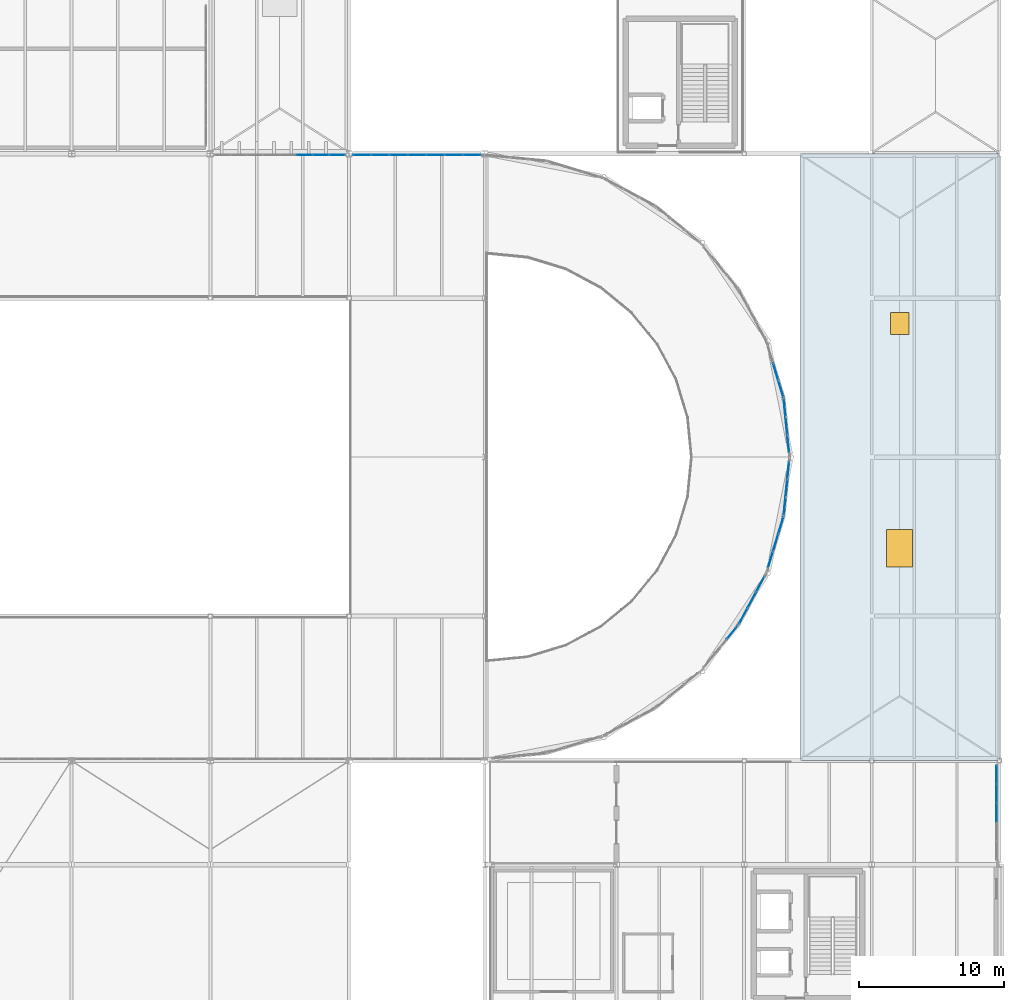
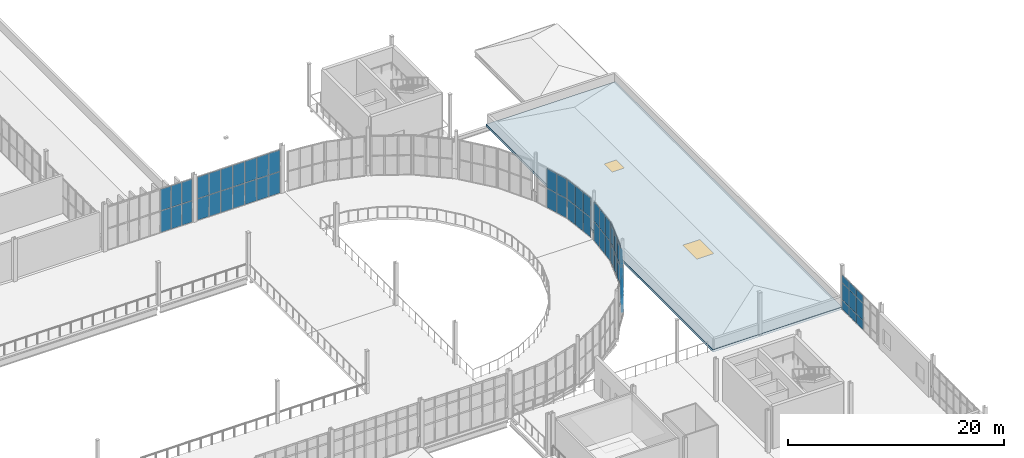
# One storey, part 85 of 112: 58 plates, 1 door, 1 slab, 1 window, 2 openings, 9 elements without a shape of their own.
"""IFC4 building model written with IfcOpenShell, lengths in metres."""

from ifc_helpers import new_model, si_unit, direction, frame, origin, origin_2d, place, context, subcontext, project, spatial, polyline, rectangle, outline, extrude, material, layer, layer_set, type_object, element, fill, aggregate, save


model = new_model("IFC4")

# Units and contexts
model_context = context("Model", 3, precision=1e-05, world=origin(), true_north=direction((0.0, 1.0)))
body_context = subcontext(model_context, "Body", "Model", "MODEL_VIEW")
ifc_project = project(units=[si_unit("LENGTHUNIT", "METRE"), si_unit("AREAUNIT", "SQUARE_METRE"), si_unit("VOLUMEUNIT", "CUBIC_METRE"), si_unit("PLANEANGLEUNIT", "RADIAN"), si_unit("MASSUNIT", "GRAM", prefix="KILO")], contexts=[model_context])

# Site, building, storey
site_placement = place(None, origin())
site = spatial("IfcSite", under=ifc_project, at=site_placement, CompositionType="ELEMENT")
building_placement = place(site_placement, origin())
building = spatial("IfcBuilding", under=site, at=building_placement, Name="Yeouljin Market Hall", CompositionType="ELEMENT")
storey_placement = place(building_placement, frame((0.0, 0.0, 6.0)))
storey = spatial("IfcBuildingStorey", under=building, at=storey_placement, Name="L01", CompositionType="ELEMENT", Elevation=6.0)

# Curtain wall, plates
ifc_material_1 = material(Name="Thermally Broken Aluminium", Category="aluminium")
ifc_layer_1 = layer(ifc_material_1, 0.159912109375)
ifc_layer_set_1 = layer_set([ifc_layer_1], Name="Thermally Broken Aluminium")
curtain_wall_type_1 = type_object("IfcCurtainWallType", Name="CW_HallClerestory_System", PredefinedType="USERDEFINED", material=ifc_layer_set_1)
curtain_wall_1_placement = place(storey_placement, origin())
curtain_wall_1 = element("IfcCurtainWall", 1, at=curtain_wall_1_placement, inside=storey, type_object=curtain_wall_type_1, Name="Curtain wall CW-V1N-UP-10", ObjectType="CURTAIN WALL", PredefinedType="USERDEFINED")
ifc_material_2 = material(Name="Low-E Insulated Glass", Category="glass")
ifc_layer_2 = layer(ifc_material_2, 0.028076171875)
ifc_layer_set_2 = layer_set([ifc_layer_2], Name="Low-E Insulated Glass")
plate_type = type_object("IfcPlateType", Name="CWPanel_LowE_28", PredefinedType="CURTAIN_PANEL", material=ifc_layer_set_2)
plate_1_placement = place(storey_placement, frame((128.30615234375, 77.89990234375, 0.0478515625), z_axis=(0.0, 0.0, 1.0), x_axis=(1.0, 0.0, 0.0)))
plate_1 = element("IfcPlate", 2, at=plate_1_placement, type_object=plate_type, Name="CW-02 panel 6.1", PredefinedType="CURTAIN_PANEL", context=body_context, shape_type="SweptSolid", body=[
    extrude(rectangle(XDim=1.089599609375, YDim=0.028076171875, at=origin_2d()), origin(), (0.0, 0.0, 1.0), 2.4130859375),
])
plate_2_placement = place(storey_placement, frame((128.30615234375, 77.89990234375, 2.509033203125), z_axis=(0.0, 0.0, 1.0), x_axis=(1.0, 0.0, 0.0)))
plate_2 = element("IfcPlate", 3, at=plate_2_placement, type_object=plate_type, Name="CW-02 panel 6.2", PredefinedType="CURTAIN_PANEL", context=body_context, shape_type="SweptSolid", body=[
    extrude(rectangle(XDim=1.089599609375, YDim=0.028076171875, at=origin_2d()), origin(), (0.0, 0.0, 1.0), 2.4130859375),
])
plate_3_placement = place(storey_placement, frame((129.44384765625, 77.89990234375, 0.0478515625), z_axis=(0.0, 0.0, 1.0), x_axis=(1.0, 0.0, 0.0)))
plate_3 = element("IfcPlate", 4, at=plate_3_placement, type_object=plate_type, Name="CW-02 panel 7.1", PredefinedType="CURTAIN_PANEL", context=body_context, shape_type="SweptSolid", body=[
    extrude(rectangle(XDim=1.089599609375, YDim=0.028076171875, at=origin_2d()), origin(), (0.0, 0.0, 1.0), 2.4130859375),
])
plate_4_placement = place(storey_placement, frame((129.44384765625, 77.89990234375, 2.509033203125), z_axis=(0.0, 0.0, 1.0), x_axis=(1.0, 0.0, 0.0)))
plate_4 = element("IfcPlate", 5, at=plate_4_placement, type_object=plate_type, Name="CW-02 panel 7.2", PredefinedType="CURTAIN_PANEL", context=body_context, shape_type="SweptSolid", body=[
    extrude(rectangle(XDim=1.089599609375, YDim=0.028076171875, at=origin_2d()), origin(), (0.0, 0.0, 1.0), 2.4130859375),
])
plate_5_placement = place(storey_placement, frame((130.5693359375, 77.89990234375, 0.0478515625), z_axis=(0.0, 0.0, 1.0), x_axis=(1.0, 0.0, 0.0)))
plate_5 = element("IfcPlate", 6, at=plate_5_placement, type_object=plate_type, Name="CW-02 panel 8.1", PredefinedType="CURTAIN_PANEL", context=body_context, shape_type="SweptSolid", body=[
    extrude(rectangle(XDim=1.0654296875, YDim=0.028076171875, at=origin_2d()), origin(), (0.0, 0.0, 1.0), 2.4130859375),
])
plate_6_placement = place(storey_placement, frame((130.5693359375, 77.89990234375, 2.509033203125), z_axis=(0.0, 0.0, 1.0), x_axis=(1.0, 0.0, 0.0)))
plate_6 = element("IfcPlate", 7, at=plate_6_placement, type_object=plate_type, Name="CW-02 panel 8.2", PredefinedType="CURTAIN_PANEL", context=body_context, shape_type="SweptSolid", body=[
    extrude(rectangle(XDim=1.0654296875, YDim=0.028076171875, at=origin_2d()), origin(), (0.0, 0.0, 1.0), 2.4130859375),
])
aggregate(curtain_wall_1, [plate_1, plate_2, plate_3, plate_4, plate_5, plate_6])

curtain_wall_2_placement = place(storey_placement, origin())
curtain_wall_2 = element("IfcCurtainWall", 8, at=curtain_wall_2_placement, inside=storey, type_object=curtain_wall_type_1, Name="Curtain wall CW-V1N-UP-11", ObjectType="CURTAIN WALL", PredefinedType="USERDEFINED")
plate_7_placement = place(storey_placement, frame((132.297607421875, 77.89990234375, 0.0478515625), z_axis=(0.0, 0.0, 1.0), x_axis=(1.0, 0.0, 0.0)))
plate_7 = element("IfcPlate", 9, at=plate_7_placement, type_object=plate_type, Name="CW-02 panel 1.1", PredefinedType="CURTAIN_PANEL", context=body_context, shape_type="SweptSolid", body=[
    extrude(rectangle(XDim=1.199462890625, YDim=0.028076171875, at=origin_2d()), origin(), (0.0, 0.0, 1.0), 2.4130859375),
])
plate_8_placement = place(storey_placement, frame((132.297607421875, 77.89990234375, 2.509033203125), z_axis=(0.0, 0.0, 1.0), x_axis=(1.0, 0.0, 0.0)))
plate_8 = element("IfcPlate", 10, at=plate_8_placement, type_object=plate_type, Name="CW-02 panel 1.2", PredefinedType="CURTAIN_PANEL", context=body_context, shape_type="SweptSolid", body=[
    extrude(rectangle(XDim=1.199462890625, YDim=0.028076171875, at=origin_2d()), origin(), (0.0, 0.0, 1.0), 2.4130859375),
])
plate_9_placement = place(storey_placement, frame((133.55712890625, 77.89990234375, 0.0478515625), z_axis=(0.0, 0.0, 1.0), x_axis=(1.0, 0.0, 0.0)))
plate_9 = element("IfcPlate", 11, at=plate_9_placement, type_object=plate_type, Name="CW-02 panel 2.1", PredefinedType="CURTAIN_PANEL", context=body_context, shape_type="SweptSolid", body=[
    extrude(rectangle(XDim=1.223388671875, YDim=0.028076171875, at=origin_2d()), origin(), (0.0, 0.0, 1.0), 2.4130859375),
])
plate_10_placement = place(storey_placement, frame((133.55712890625, 77.89990234375, 2.509033203125), z_axis=(0.0, 0.0, 1.0), x_axis=(1.0, 0.0, 0.0)))
plate_10 = element("IfcPlate", 12, at=plate_10_placement, type_object=plate_type, Name="CW-02 panel 2.2", PredefinedType="CURTAIN_PANEL", context=body_context, shape_type="SweptSolid", body=[
    extrude(rectangle(XDim=1.223388671875, YDim=0.028076171875, at=origin_2d()), origin(), (0.0, 0.0, 1.0), 2.4130859375),
])
plate_11_placement = place(storey_placement, frame((134.82861328125, 77.89990234375, 0.0478515625), z_axis=(0.0, 0.0, 1.0), x_axis=(1.0, 0.0, 0.0)))
plate_11 = element("IfcPlate", 13, at=plate_11_placement, type_object=plate_type, Name="CW-02 panel 3.1", PredefinedType="CURTAIN_PANEL", context=body_context, shape_type="SweptSolid", body=[
    extrude(rectangle(XDim=1.223388671875, YDim=0.028076171875, at=origin_2d()), origin(), (0.0, 0.0, 1.0), 2.4130859375),
])
plate_12_placement = place(storey_placement, frame((134.82861328125, 77.89990234375, 2.509033203125), z_axis=(0.0, 0.0, 1.0), x_axis=(1.0, 0.0, 0.0)))
plate_12 = element("IfcPlate", 14, at=plate_12_placement, type_object=plate_type, Name="CW-02 panel 3.2", PredefinedType="CURTAIN_PANEL", context=body_context, shape_type="SweptSolid", body=[
    extrude(rectangle(XDim=1.223388671875, YDim=0.028076171875, at=origin_2d()), origin(), (0.0, 0.0, 1.0), 2.4130859375),
])
plate_13_placement = place(storey_placement, frame((136.10009765625, 77.89990234375, 0.0478515625), z_axis=(0.0, 0.0, 1.0), x_axis=(1.0, 0.0, 0.0)))
plate_13 = element("IfcPlate", 15, at=plate_13_placement, type_object=plate_type, Name="CW-02 panel 4.1", PredefinedType="CURTAIN_PANEL", context=body_context, shape_type="SweptSolid", body=[
    extrude(rectangle(XDim=1.223388671875, YDim=0.028076171875, at=origin_2d()), origin(), (0.0, 0.0, 1.0), 2.4130859375),
])
plate_14_placement = place(storey_placement, frame((136.10009765625, 77.89990234375, 2.509033203125), z_axis=(0.0, 0.0, 1.0), x_axis=(1.0, 0.0, 0.0)))
plate_14 = element("IfcPlate", 16, at=plate_14_placement, type_object=plate_type, Name="CW-02 panel 4.2", PredefinedType="CURTAIN_PANEL", context=body_context, shape_type="SweptSolid", body=[
    extrude(rectangle(XDim=1.223388671875, YDim=0.028076171875, at=origin_2d()), origin(), (0.0, 0.0, 1.0), 2.4130859375),
])
plate_15_placement = place(storey_placement, frame((137.371337890625, 77.89990234375, 0.0478515625), z_axis=(0.0, 0.0, 1.0), x_axis=(1.0, 0.0, 0.0)))
plate_15 = element("IfcPlate", 17, at=plate_15_placement, type_object=plate_type, Name="CW-02 panel 5.1", PredefinedType="CURTAIN_PANEL", context=body_context, shape_type="SweptSolid", body=[
    extrude(rectangle(XDim=1.223388671875, YDim=0.028076171875, at=origin_2d()), origin(), (0.0, 0.0, 1.0), 2.4130859375),
])
plate_16_placement = place(storey_placement, frame((137.371337890625, 77.89990234375, 2.509033203125), z_axis=(0.0, 0.0, 1.0), x_axis=(1.0, 0.0, 0.0)))
plate_16 = element("IfcPlate", 18, at=plate_16_placement, type_object=plate_type, Name="CW-02 panel 5.2", PredefinedType="CURTAIN_PANEL", context=body_context, shape_type="SweptSolid", body=[
    extrude(rectangle(XDim=1.223388671875, YDim=0.028076171875, at=origin_2d()), origin(), (0.0, 0.0, 1.0), 2.4130859375),
])
plate_17_placement = place(storey_placement, frame((138.642822265625, 77.89990234375, 0.0478515625), z_axis=(0.0, 0.0, 1.0), x_axis=(1.0, 0.0, 0.0)))
plate_17 = element("IfcPlate", 19, at=plate_17_placement, type_object=plate_type, Name="CW-02 panel 6.1", PredefinedType="CURTAIN_PANEL", context=body_context, shape_type="SweptSolid", body=[
    extrude(rectangle(XDim=1.223388671875, YDim=0.028076171875, at=origin_2d()), origin(), (0.0, 0.0, 1.0), 2.4130859375),
])
plate_18_placement = place(storey_placement, frame((138.642822265625, 77.89990234375, 2.509033203125), z_axis=(0.0, 0.0, 1.0), x_axis=(1.0, 0.0, 0.0)))
plate_18 = element("IfcPlate", 20, at=plate_18_placement, type_object=plate_type, Name="CW-02 panel 6.2", PredefinedType="CURTAIN_PANEL", context=body_context, shape_type="SweptSolid", body=[
    extrude(rectangle(XDim=1.223388671875, YDim=0.028076171875, at=origin_2d()), origin(), (0.0, 0.0, 1.0), 2.4130859375),
])
plate_19_placement = place(storey_placement, frame((139.90234375, 77.89990234375, 0.0478515625), z_axis=(0.0, 0.0, 1.0), x_axis=(1.0, 0.0, 0.0)))
plate_19 = element("IfcPlate", 21, at=plate_19_placement, type_object=plate_type, Name="CW-02 panel 7.1", PredefinedType="CURTAIN_PANEL", context=body_context, shape_type="SweptSolid", body=[
    extrude(rectangle(XDim=1.199462890625, YDim=0.028076171875, at=origin_2d()), origin(), (0.0, 0.0, 1.0), 2.4130859375),
])
plate_20_placement = place(storey_placement, frame((139.90234375, 77.89990234375, 2.509033203125), z_axis=(0.0, 0.0, 1.0), x_axis=(1.0, 0.0, 0.0)))
plate_20 = element("IfcPlate", 22, at=plate_20_placement, type_object=plate_type, Name="CW-02 panel 7.2", PredefinedType="CURTAIN_PANEL", context=body_context, shape_type="SweptSolid", body=[
    extrude(rectangle(XDim=1.199462890625, YDim=0.028076171875, at=origin_2d()), origin(), (0.0, 0.0, 1.0), 2.4130859375),
])
aggregate(curtain_wall_2, [plate_7, plate_8, plate_9, plate_10, plate_11, plate_12, plate_13, plate_14, plate_15, plate_16, plate_17, plate_18, plate_19, plate_20])

# Curtain wall, plate
ifc_material_3 = material(Name="Thermally Broken Aluminium", Category="aluminium")
ifc_layer_3 = layer(ifc_material_3, 0.179931640625)
ifc_layer_set_3 = layer_set([ifc_layer_3], Name="Thermally Broken Aluminium")
curtain_wall_type_2 = type_object("IfcCurtainWallType", Name="CW_ApseCurved_System", PredefinedType="USERDEFINED", material=ifc_layer_set_3)
curtain_wall_3_placement = place(storey_placement, origin())
curtain_wall_3 = element("IfcCurtainWall", 23, at=curtain_wall_3_placement, inside=storey, type_object=curtain_wall_type_2, Name="Curtain wall CW-AP-EL01-05", ObjectType="CURTAIN WALL", PredefinedType="USERDEFINED")
plate_21_placement = place(storey_placement, frame((157.92919921875, 44.873291015625, 2.27392578125), z_axis=(0.0, 0.0, 1.0), x_axis=(-0.634384432096, -0.773017717982, 0.0)))
plate_21 = element("IfcPlate", 24, at=plate_21_placement, type_object=plate_type, Name="CW-03 panel 1.2", PredefinedType="CURTAIN_PANEL", context=body_context, shape_type="SweptSolid", body=[
    extrude(rectangle(XDim=1.185791015625, YDim=0.028076171875, at=origin_2d()), origin(), (0.0, 0.0, 1.0), 2.177978515625),
])
aggregate(curtain_wall_3, [plate_21])

# Curtain wall, plates
curtain_wall_4_placement = place(storey_placement, origin())
curtain_wall_4 = element("IfcCurtainWall", 25, at=curtain_wall_4_placement, inside=storey, type_object=curtain_wall_type_2, Name="Curtain wall CW-AP-EL01-06", ObjectType="CURTAIN WALL", PredefinedType="USERDEFINED")
plate_22_placement = place(storey_placement, frame((159.8564453125, 48.197509765625, 0.0478515625), z_axis=(0.0, 0.0, 1.0), x_axis=(-0.471377626598, -0.881931478712, 0.0)))
plate_22 = element("IfcPlate", 26, at=plate_22_placement, type_object=plate_type, Name="CW-03 panel 1.1", PredefinedType="CURTAIN_PANEL", context=body_context, shape_type="SweptSolid", body=[
    extrude(rectangle(XDim=1.185791015625, YDim=0.028076171875, at=origin_2d()), origin(), (0.0, 0.0, 1.0), 2.177978515625),
])
plate_23_placement = place(storey_placement, frame((159.8564453125, 48.197509765625, 2.27392578125), z_axis=(0.0, 0.0, 1.0), x_axis=(-0.471377626598, -0.881931478712, 0.0)))
plate_23 = element("IfcPlate", 27, at=plate_23_placement, type_object=plate_type, Name="CW-03 panel 1.2", PredefinedType="CURTAIN_PANEL", context=body_context, shape_type="SweptSolid", body=[
    extrude(rectangle(XDim=1.185791015625, YDim=0.028076171875, at=origin_2d()), origin(), (0.0, 0.0, 1.0), 2.177978515625),
])
plate_24_placement = place(storey_placement, frame((159.269287109375, 47.098876953125, 0.0478515625), z_axis=(0.0, 0.0, 1.0), x_axis=(-0.471377626598, -0.881931478712, 0.0)))
plate_24 = element("IfcPlate", 28, at=plate_24_placement, type_object=plate_type, Name="CW-03 panel 2.1", PredefinedType="CURTAIN_PANEL", context=body_context, shape_type="SweptSolid", body=[
    extrude(rectangle(XDim=1.209716796875, YDim=0.028076171875, at=origin_2d()), origin(), (0.0, 0.0, 1.0), 2.177978515625),
])
plate_25_placement = place(storey_placement, frame((159.269287109375, 47.098876953125, 2.27392578125), z_axis=(0.0, 0.0, 1.0), x_axis=(-0.471377626598, -0.881931478712, 0.0)))
plate_25 = element("IfcPlate", 29, at=plate_25_placement, type_object=plate_type, Name="CW-03 panel 2.2", PredefinedType="CURTAIN_PANEL", context=body_context, shape_type="SweptSolid", body=[
    extrude(rectangle(XDim=1.209716796875, YDim=0.028076171875, at=origin_2d()), origin(), (0.0, 0.0, 1.0), 2.177978515625),
])
plate_26_placement = place(storey_placement, frame((158.68212890625, 46.000244140625, 0.0478515625), z_axis=(0.0, 0.0, 1.0), x_axis=(-0.471377626598, -0.881931478712, 0.0)))
plate_26 = element("IfcPlate", 30, at=plate_26_placement, type_object=plate_type, Name="CW-03 panel 3.1", PredefinedType="CURTAIN_PANEL", context=body_context, shape_type="SweptSolid", body=[
    extrude(rectangle(XDim=1.185791015625, YDim=0.028076171875, at=origin_2d()), origin(), (0.0, 0.0, 1.0), 2.177978515625),
])
plate_27_placement = place(storey_placement, frame((158.68212890625, 46.000244140625, 2.27392578125), z_axis=(0.0, 0.0, 1.0), x_axis=(-0.471377626598, -0.881931478712, 0.0)))
plate_27 = element("IfcPlate", 31, at=plate_27_placement, type_object=plate_type, Name="CW-03 panel 3.2", PredefinedType="CURTAIN_PANEL", context=body_context, shape_type="SweptSolid", body=[
    extrude(rectangle(XDim=1.185791015625, YDim=0.028076171875, at=origin_2d()), origin(), (0.0, 0.0, 1.0), 2.177978515625),
])
aggregate(curtain_wall_4, [plate_22, plate_23, plate_24, plate_25, plate_26, plate_27])

curtain_wall_5_placement = place(storey_placement, origin())
curtain_wall_5 = element("IfcCurtainWall", 32, at=curtain_wall_5_placement, inside=storey, type_object=curtain_wall_type_2, Name="Curtain wall CW-AP-EL01-07", ObjectType="CURTAIN WALL", PredefinedType="USERDEFINED")
plate_28_placement = place(storey_placement, frame((161.28125, 52.27490234375, 0.0478515625), z_axis=(0.0, 0.0, 1.0), x_axis=(-0.290286164863, -0.95693988447, 0.0)))
plate_28 = element("IfcPlate", 33, at=plate_28_placement, type_object=plate_type, Name="CW-03 panel 1.1", PredefinedType="CURTAIN_PANEL", context=body_context, shape_type="SweptSolid", body=[
    extrude(rectangle(XDim=1.185791015625, YDim=0.028076171875, at=origin_2d()), origin(), (0.0, 0.0, 1.0), 2.177978515625),
])
plate_29_placement = place(storey_placement, frame((161.28125, 52.27490234375, 2.27392578125), z_axis=(0.0, 0.0, 1.0), x_axis=(-0.290286164863, -0.95693988447, 0.0)))
plate_29 = element("IfcPlate", 34, at=plate_29_placement, type_object=plate_type, Name="CW-03 panel 1.2", PredefinedType="CURTAIN_PANEL", context=body_context, shape_type="SweptSolid", body=[
    extrude(rectangle(XDim=1.185791015625, YDim=0.028076171875, at=origin_2d()), origin(), (0.0, 0.0, 1.0), 2.177978515625),
])
plate_30_placement = place(storey_placement, frame((160.91943359375, 51.082763671875, 0.0478515625), z_axis=(0.0, 0.0, 1.0), x_axis=(-0.290286164863, -0.95693988447, 0.0)))
plate_30 = element("IfcPlate", 35, at=plate_30_placement, type_object=plate_type, Name="CW-03 panel 2.1", PredefinedType="CURTAIN_PANEL", context=body_context, shape_type="SweptSolid", body=[
    extrude(rectangle(XDim=1.209716796875, YDim=0.028076171875, at=origin_2d()), origin(), (0.0, 0.0, 1.0), 2.177978515625),
])
plate_31_placement = place(storey_placement, frame((160.91943359375, 51.082763671875, 2.27392578125), z_axis=(0.0, 0.0, 1.0), x_axis=(-0.290286164863, -0.95693988447, 0.0)))
plate_31 = element("IfcPlate", 36, at=plate_31_placement, type_object=plate_type, Name="CW-03 panel 2.2", PredefinedType="CURTAIN_PANEL", context=body_context, shape_type="SweptSolid", body=[
    extrude(rectangle(XDim=1.209716796875, YDim=0.028076171875, at=origin_2d()), origin(), (0.0, 0.0, 1.0), 2.177978515625),
])
plate_32_placement = place(storey_placement, frame((160.557861328125, 49.890869140625, 0.0478515625), z_axis=(0.0, 0.0, 1.0), x_axis=(-0.290286164863, -0.95693988447, 0.0)))
plate_32 = element("IfcPlate", 37, at=plate_32_placement, type_object=plate_type, Name="CW-03 panel 3.1", PredefinedType="CURTAIN_PANEL", context=body_context, shape_type="SweptSolid", body=[
    extrude(rectangle(XDim=1.185791015625, YDim=0.028076171875, at=origin_2d()), origin(), (0.0, 0.0, 1.0), 2.177978515625),
])
plate_33_placement = place(storey_placement, frame((160.557861328125, 49.890869140625, 2.27392578125), z_axis=(0.0, 0.0, 1.0), x_axis=(-0.290286164863, -0.95693988447, 0.0)))
plate_33 = element("IfcPlate", 38, at=plate_33_placement, type_object=plate_type, Name="CW-03 panel 3.2", PredefinedType="CURTAIN_PANEL", context=body_context, shape_type="SweptSolid", body=[
    extrude(rectangle(XDim=1.185791015625, YDim=0.028076171875, at=origin_2d()), origin(), (0.0, 0.0, 1.0), 2.177978515625),
])
aggregate(curtain_wall_5, [plate_28, plate_29, plate_30, plate_31, plate_32, plate_33])

curtain_wall_6_placement = place(storey_placement, origin())
curtain_wall_6 = element("IfcCurtainWall", 39, at=curtain_wall_6_placement, inside=storey, type_object=curtain_wall_type_2, Name="Curtain wall CW-AP-EL01-08", ObjectType="CURTAIN WALL", PredefinedType="USERDEFINED")
plate_34_placement = place(storey_placement, frame((161.789794921875, 56.08349609375, 0.0478515625), z_axis=(0.0, 0.0, 1.0), x_axis=(-0.09803414403, -0.995183051807, 0.0)))
plate_34 = element("IfcPlate", 40, at=plate_34_placement, type_object=plate_type, Name="CW-03 panel 1.1", PredefinedType="CURTAIN_PANEL", context=body_context, shape_type="SweptSolid", body=[
    extrude(rectangle(XDim=1.185791015625, YDim=0.028076171875, at=origin_2d()), origin(), (0.0, 0.0, 1.0), 2.177978515625),
])
plate_35_placement = place(storey_placement, frame((161.789794921875, 56.08349609375, 2.27392578125), z_axis=(0.0, 0.0, 1.0), x_axis=(-0.09803414403, -0.995183051807, 0.0)))
plate_35 = element("IfcPlate", 41, at=plate_35_placement, type_object=plate_type, Name="CW-03 panel 1.2", PredefinedType="CURTAIN_PANEL", context=body_context, shape_type="SweptSolid", body=[
    extrude(rectangle(XDim=1.185791015625, YDim=0.028076171875, at=origin_2d()), origin(), (0.0, 0.0, 1.0), 2.177978515625),
])
plate_36_placement = place(storey_placement, frame((161.667724609375, 54.84375, 0.0478515625), z_axis=(0.0, 0.0, 1.0), x_axis=(-0.09803414403, -0.995183051807, 0.0)))
plate_36 = element("IfcPlate", 42, at=plate_36_placement, type_object=plate_type, Name="CW-03 panel 2.1", PredefinedType="CURTAIN_PANEL", context=body_context, shape_type="SweptSolid", body=[
    extrude(rectangle(XDim=1.209716796875, YDim=0.028076171875, at=origin_2d()), origin(), (0.0, 0.0, 1.0), 2.177978515625),
])
plate_37_placement = place(storey_placement, frame((161.667724609375, 54.84375, 2.27392578125), z_axis=(0.0, 0.0, 1.0), x_axis=(-0.09803414403, -0.995183051807, 0.0)))
plate_37 = element("IfcPlate", 43, at=plate_37_placement, type_object=plate_type, Name="CW-03 panel 2.2", PredefinedType="CURTAIN_PANEL", context=body_context, shape_type="SweptSolid", body=[
    extrude(rectangle(XDim=1.209716796875, YDim=0.028076171875, at=origin_2d()), origin(), (0.0, 0.0, 1.0), 2.177978515625),
])
plate_38_placement = place(storey_placement, frame((161.54541015625, 53.60400390625, 0.0478515625), z_axis=(0.0, 0.0, 1.0), x_axis=(-0.09803414403, -0.995183051807, 0.0)))
plate_38 = element("IfcPlate", 44, at=plate_38_placement, type_object=plate_type, Name="CW-03 panel 3.1", PredefinedType="CURTAIN_PANEL", context=body_context, shape_type="SweptSolid", body=[
    extrude(rectangle(XDim=1.185791015625, YDim=0.028076171875, at=origin_2d()), origin(), (0.0, 0.0, 1.0), 2.177978515625),
])
plate_39_placement = place(storey_placement, frame((161.54541015625, 53.60400390625, 2.27392578125), z_axis=(0.0, 0.0, 1.0), x_axis=(-0.09803414403, -0.995183051807, 0.0)))
plate_39 = element("IfcPlate", 45, at=plate_39_placement, type_object=plate_type, Name="CW-03 panel 3.2", PredefinedType="CURTAIN_PANEL", context=body_context, shape_type="SweptSolid", body=[
    extrude(rectangle(XDim=1.185791015625, YDim=0.028076171875, at=origin_2d()), origin(), (0.0, 0.0, 1.0), 2.177978515625),
])
aggregate(curtain_wall_6, [plate_34, plate_35, plate_36, plate_37, plate_38, plate_39])

curtain_wall_7_placement = place(storey_placement, origin())
curtain_wall_7 = element("IfcCurtainWall", 46, at=curtain_wall_7_placement, inside=storey, type_object=curtain_wall_type_2, Name="Curtain wall CW-AP-EL01-09", ObjectType="CURTAIN WALL", PredefinedType="USERDEFINED")
plate_40_placement = place(storey_placement, frame((161.54541015625, 60.39599609375, 0.0478515625), z_axis=(0.0, 0.0, 1.0), x_axis=(0.09803414403, -0.995183051807, 0.0)))
plate_40 = element("IfcPlate", 47, at=plate_40_placement, type_object=plate_type, Name="CW-03 panel 1.1", PredefinedType="CURTAIN_PANEL", context=body_context, shape_type="SweptSolid", body=[
    extrude(rectangle(XDim=1.185791015625, YDim=0.028076171875, at=origin_2d()), origin(), (0.0, 0.0, 1.0), 2.177978515625),
])
plate_41_placement = place(storey_placement, frame((161.54541015625, 60.39599609375, 2.27392578125), z_axis=(0.0, 0.0, 1.0), x_axis=(0.09803414403, -0.995183051807, 0.0)))
plate_41 = element("IfcPlate", 48, at=plate_41_placement, type_object=plate_type, Name="CW-03 panel 1.2", PredefinedType="CURTAIN_PANEL", context=body_context, shape_type="SweptSolid", body=[
    extrude(rectangle(XDim=1.185791015625, YDim=0.028076171875, at=origin_2d()), origin(), (0.0, 0.0, 1.0), 2.177978515625),
])
plate_42_placement = place(storey_placement, frame((161.667724609375, 59.15625, 0.0478515625), z_axis=(0.0, 0.0, 1.0), x_axis=(0.09803414403, -0.995183051807, 0.0)))
plate_42 = element("IfcPlate", 49, at=plate_42_placement, type_object=plate_type, Name="CW-03 panel 2.1", PredefinedType="CURTAIN_PANEL", context=body_context, shape_type="SweptSolid", body=[
    extrude(rectangle(XDim=1.209716796875, YDim=0.028076171875, at=origin_2d()), origin(), (0.0, 0.0, 1.0), 2.177978515625),
])
plate_43_placement = place(storey_placement, frame((161.667724609375, 59.15625, 2.27392578125), z_axis=(0.0, 0.0, 1.0), x_axis=(0.09803414403, -0.995183051807, 0.0)))
plate_43 = element("IfcPlate", 50, at=plate_43_placement, type_object=plate_type, Name="CW-03 panel 2.2", PredefinedType="CURTAIN_PANEL", context=body_context, shape_type="SweptSolid", body=[
    extrude(rectangle(XDim=1.209716796875, YDim=0.028076171875, at=origin_2d()), origin(), (0.0, 0.0, 1.0), 2.177978515625),
])
plate_44_placement = place(storey_placement, frame((161.789794921875, 57.91650390625, 0.0478515625), z_axis=(0.0, 0.0, 1.0), x_axis=(0.09803414403, -0.995183051807, 0.0)))
plate_44 = element("IfcPlate", 51, at=plate_44_placement, type_object=plate_type, Name="CW-03 panel 3.1", PredefinedType="CURTAIN_PANEL", context=body_context, shape_type="SweptSolid", body=[
    extrude(rectangle(XDim=1.185791015625, YDim=0.028076171875, at=origin_2d()), origin(), (0.0, 0.0, 1.0), 2.177978515625),
])
plate_45_placement = place(storey_placement, frame((161.789794921875, 57.91650390625, 2.27392578125), z_axis=(0.0, 0.0, 1.0), x_axis=(0.09803414403, -0.995183051807, 0.0)))
plate_45 = element("IfcPlate", 52, at=plate_45_placement, type_object=plate_type, Name="CW-03 panel 3.2", PredefinedType="CURTAIN_PANEL", context=body_context, shape_type="SweptSolid", body=[
    extrude(rectangle(XDim=1.185791015625, YDim=0.028076171875, at=origin_2d()), origin(), (0.0, 0.0, 1.0), 2.177978515625),
])
aggregate(curtain_wall_7, [plate_40, plate_41, plate_42, plate_43, plate_44, plate_45])

curtain_wall_8_placement = place(storey_placement, origin())
curtain_wall_8 = element("IfcCurtainWall", 53, at=curtain_wall_8_placement, inside=storey, type_object=curtain_wall_type_2, Name="Curtain wall CW-AP-EL01-10", ObjectType="CURTAIN WALL", PredefinedType="USERDEFINED")
plate_46_placement = place(storey_placement, frame((160.91943359375, 62.917236328125, 0.0478515625), z_axis=(0.0, 0.0, 1.0), x_axis=(0.290286164863, -0.95693988447, 0.0)))
plate_46 = element("IfcPlate", 54, at=plate_46_placement, type_object=plate_type, Name="CW-03 panel 2.1", PredefinedType="CURTAIN_PANEL", context=body_context, shape_type="SweptSolid", body=[
    extrude(rectangle(XDim=1.209716796875, YDim=0.028076171875, at=origin_2d()), origin(), (0.0, 0.0, 1.0), 2.177978515625),
])
plate_47_placement = place(storey_placement, frame((160.91943359375, 62.917236328125, 2.27392578125), z_axis=(0.0, 0.0, 1.0), x_axis=(0.290286164863, -0.95693988447, 0.0)))
plate_47 = element("IfcPlate", 55, at=plate_47_placement, type_object=plate_type, Name="CW-03 panel 2.2", PredefinedType="CURTAIN_PANEL", context=body_context, shape_type="SweptSolid", body=[
    extrude(rectangle(XDim=1.209716796875, YDim=0.028076171875, at=origin_2d()), origin(), (0.0, 0.0, 1.0), 2.177978515625),
])
plate_48_placement = place(storey_placement, frame((161.28125, 61.72509765625, 0.0478515625), z_axis=(0.0, 0.0, 1.0), x_axis=(0.290286164863, -0.95693988447, 0.0)))
plate_48 = element("IfcPlate", 56, at=plate_48_placement, type_object=plate_type, Name="CW-03 panel 3.1", PredefinedType="CURTAIN_PANEL", context=body_context, shape_type="SweptSolid", body=[
    extrude(rectangle(XDim=1.185791015625, YDim=0.028076171875, at=origin_2d()), origin(), (0.0, 0.0, 1.0), 2.177978515625),
])
plate_49_placement = place(storey_placement, frame((161.28125, 61.72509765625, 2.27392578125), z_axis=(0.0, 0.0, 1.0), x_axis=(0.290286164863, -0.95693988447, 0.0)))
plate_49 = element("IfcPlate", 57, at=plate_49_placement, type_object=plate_type, Name="CW-03 panel 3.2", PredefinedType="CURTAIN_PANEL", context=body_context, shape_type="SweptSolid", body=[
    extrude(rectangle(XDim=1.185791015625, YDim=0.028076171875, at=origin_2d()), origin(), (0.0, 0.0, 1.0), 2.177978515625),
])
aggregate(curtain_wall_8, [plate_46, plate_47, plate_48, plate_49])

ifc_material_4 = material(Name="Thermally Broken Aluminium", Category="aluminium")
ifc_layer_4 = layer(ifc_material_4, 0.14990234375)
ifc_layer_set_4 = layer_set([ifc_layer_4], Name="Thermally Broken Aluminium")
curtain_wall_type_3 = type_object("IfcCurtainWallType", Name="CW_AcademyRibbon_System", PredefinedType="USERDEFINED", material=ifc_layer_set_4)
curtain_wall_9_placement = place(storey_placement, origin())
curtain_wall_9 = element("IfcCurtainWall", 58, at=curtain_wall_9_placement, inside=storey, type_object=curtain_wall_type_3, Name="Curtain wall CW-L01-W13", ObjectType="CURTAIN WALL", PredefinedType="USERDEFINED")
plate_50_placement = place(storey_placement, frame((176.199951171875, 35.028076171875, 0.0478515625), z_axis=(0.0, 0.0, 1.0), x_axis=(0.0, -1.0, 0.0)))
plate_50 = element("IfcPlate", 59, at=plate_50_placement, type_object=plate_type, Name="CW-05 panel 1.1", PredefinedType="CURTAIN_PANEL", context=body_context, shape_type="SweptSolid", body=[
    extrude(rectangle(XDim=1.248046875, YDim=0.028076171875, at=origin_2d()), origin(), (0.0, 0.0, 1.0), 1.028076171875),
])
plate_51_placement = place(storey_placement, frame((176.199951171875, 35.028076171875, 1.1240234375), z_axis=(0.0, 0.0, 1.0), x_axis=(0.0, -1.0, 0.0)))
plate_51 = element("IfcPlate", 60, at=plate_51_placement, type_object=plate_type, Name="CW-05 panel 1.2", PredefinedType="CURTAIN_PANEL", context=body_context, shape_type="SweptSolid", body=[
    extrude(rectangle(XDim=1.248046875, YDim=0.028076171875, at=origin_2d()), origin(), (0.0, 0.0, 1.0), 1.902099609375),
])
plate_52_placement = place(storey_placement, frame((176.199951171875, 35.028076171875, 3.07421875), z_axis=(0.0, 0.0, 1.0), x_axis=(0.0, -1.0, 0.0)))
plate_52 = element("IfcPlate", 61, at=plate_52_placement, type_object=plate_type, Name="CW-05 panel 1.3", PredefinedType="CURTAIN_PANEL", context=body_context, shape_type="SweptSolid", body=[
    extrude(rectangle(XDim=1.248046875, YDim=0.028076171875, at=origin_2d()), origin(), (0.0, 0.0, 1.0), 0.827880859375),
])
plate_53_placement = place(storey_placement, frame((176.199951171875, 33.719970703125, 0.0478515625), z_axis=(0.0, 0.0, 1.0), x_axis=(0.0, -1.0, 0.0)))
plate_53 = element("IfcPlate", 62, at=plate_53_placement, type_object=plate_type, Name="CW-05 panel 2.1", PredefinedType="CURTAIN_PANEL", context=body_context, shape_type="SweptSolid", body=[
    extrude(rectangle(XDim=1.27197265625, YDim=0.028076171875, at=origin_2d()), origin(), (0.0, 0.0, 1.0), 1.028076171875),
])
plate_54_placement = place(storey_placement, frame((176.199951171875, 33.719970703125, 1.1240234375), z_axis=(0.0, 0.0, 1.0), x_axis=(0.0, -1.0, 0.0)))
plate_54 = element("IfcPlate", 63, at=plate_54_placement, type_object=plate_type, Name="CW-05 panel 2.2", PredefinedType="CURTAIN_PANEL", context=body_context, shape_type="SweptSolid", body=[
    extrude(rectangle(XDim=1.27197265625, YDim=0.028076171875, at=origin_2d()), origin(), (0.0, 0.0, 1.0), 1.902099609375),
])
plate_55_placement = place(storey_placement, frame((176.199951171875, 33.719970703125, 3.07421875), z_axis=(0.0, 0.0, 1.0), x_axis=(0.0, -1.0, 0.0)))
plate_55 = element("IfcPlate", 64, at=plate_55_placement, type_object=plate_type, Name="CW-05 panel 2.3", PredefinedType="CURTAIN_PANEL", context=body_context, shape_type="SweptSolid", body=[
    extrude(rectangle(XDim=1.27197265625, YDim=0.028076171875, at=origin_2d()), origin(), (0.0, 0.0, 1.0), 0.827880859375),
])
plate_56_placement = place(storey_placement, frame((176.199951171875, 32.39990234375, 0.0478515625), z_axis=(0.0, 0.0, 1.0), x_axis=(0.0, -1.0, 0.0)))
plate_56 = element("IfcPlate", 65, at=plate_56_placement, type_object=plate_type, Name="CW-05 panel 3.1", PredefinedType="CURTAIN_PANEL", context=body_context, shape_type="SweptSolid", body=[
    extrude(rectangle(XDim=1.27197265625, YDim=0.028076171875, at=origin_2d()), origin(), (0.0, 0.0, 1.0), 1.028076171875),
])
plate_57_placement = place(storey_placement, frame((176.199951171875, 32.39990234375, 1.1240234375), z_axis=(0.0, 0.0, 1.0), x_axis=(0.0, -1.0, 0.0)))
plate_57 = element("IfcPlate", 66, at=plate_57_placement, type_object=plate_type, Name="CW-05 panel 3.2", PredefinedType="CURTAIN_PANEL", context=body_context, shape_type="SweptSolid", body=[
    extrude(rectangle(XDim=1.27197265625, YDim=0.028076171875, at=origin_2d()), origin(), (0.0, 0.0, 1.0), 1.902099609375),
])
plate_58_placement = place(storey_placement, frame((176.199951171875, 32.39990234375, 3.07421875), z_axis=(0.0, 0.0, 1.0), x_axis=(0.0, -1.0, 0.0)))
plate_58 = element("IfcPlate", 67, at=plate_58_placement, type_object=plate_type, Name="CW-05 panel 3.3", PredefinedType="CURTAIN_PANEL", context=body_context, shape_type="SweptSolid", body=[
    extrude(rectangle(XDim=1.27197265625, YDim=0.028076171875, at=origin_2d()), origin(), (0.0, 0.0, 1.0), 0.827880859375),
])
aggregate(curtain_wall_9, [plate_50, plate_51, plate_52, plate_53, plate_54, plate_55, plate_56, plate_57, plate_58])

# Slab, openings, door, window
ifc_material_5 = material(Name="Concrete C30/37", Category="concrete")
ifc_layer_5 = layer(ifc_material_5, 0.27490234375)
ifc_layer_set_5 = layer_set([ifc_layer_5], Name="Concrete C30/37")
slab_type = type_object("IfcSlabType", Name="SLB_ROOF_210", PredefinedType="ROOF", material=ifc_layer_set_5)
slab_placement = place(storey_placement, frame((0.0, 0.0, -0.264892578125)))
slab = element("IfcSlab", 68, at=slab_placement, inside=storey, type_object=slab_type, Name="Wing structural roof slab RSLB-V3-L01M", PredefinedType="ROOF", context=body_context, shape_type="SweptSolid", body=[
    extrude(outline(polyline([(162.60009765625, 36.0), (176.39990234375, 36.0), (176.39990234375, 78.0), (162.60009765625, 78.0), (162.60009765625, 36.0)])), origin(), (0.0, 0.0, 1.0), 0.27490234375),
])
opening_1_placement = place(slab_placement, frame((169.5, 50.699951171875, 0.0)))
opening_1 = element("IfcOpeningElement", 69, at=opening_1_placement, cuts=slab, Name="Opening SK-02", PredefinedType="OPENING", context=body_context, shape_type="SweptSolid", body=[
    extrude(rectangle(XDim=1.800048828125, YDim=2.60009765625, at=origin_2d()), origin(), (0.0, 0.0, 1.0), 0.27490234375),
])
opening_2_placement = place(slab_placement, frame((169.5, 66.239990234375, 0.0)))
opening_2 = element("IfcOpeningElement", 70, at=opening_2_placement, cuts=slab, Name="Opening HT-04", PredefinedType="OPENING", context=body_context, shape_type="SweptSolid", body=[
    extrude(rectangle(XDim=1.300048828125, YDim=1.5, at=origin_2d()), origin(), (0.0, 0.0, 1.0), 0.27490234375),
])
ifc_material_6 = material(Name="Galvanised Painted Steel", Category="steel")
door_type = type_object("IfcDoorType", Name="DT-HT130", OperationType="SINGLE_SWING_LEFT", PredefinedType="TRAPDOOR", material=ifc_material_6)
door_placement = place(opening_2_placement, frame((0.0, 0.0, 0.224853515625)))
door = element("IfcDoor", 71, at=door_placement, inside=storey, type_object=door_type, Name="Roof maintenance access hatch HT-04", OperationType="SINGLE_SWING_LEFT", OverallHeight=1.5, OverallWidth=1.300048828125, PredefinedType="TRAPDOOR", context=body_context, shape_type="SweptSolid", body=[
    extrude(rectangle(XDim=1.300048828125, YDim=1.5, at=origin_2d()), origin(), (0.0, 0.0, 1.0), 0.050048828125),
])
fill(opening_2, door)
ifc_material_7 = material(Name="Low-E Insulated Glass", Category="glass")
window_type = type_object("IfcWindowType", Name="Skylight_1800x2600", PartitioningType="SINGLE_PANEL", PredefinedType="SKYLIGHT", material=ifc_material_7)
window_placement = place(opening_1_placement, frame((0.0, 0.0, 0.224853515625)))
window = element("IfcWindow", 72, at=window_placement, inside=storey, type_object=window_type, Name="Roof skylight 08", OverallHeight=2.60009765625, OverallWidth=1.800048828125, PartitioningType="SINGLE_PANEL", PredefinedType="SKYLIGHT", context=body_context, shape_type="SweptSolid", body=[
    extrude(rectangle(XDim=1.800048828125, YDim=2.60009765625, at=origin_2d()), origin(), (0.0, 0.0, 1.0), 0.050048828125),
])
fill(opening_1, window)

save(model, "model.ifc")
